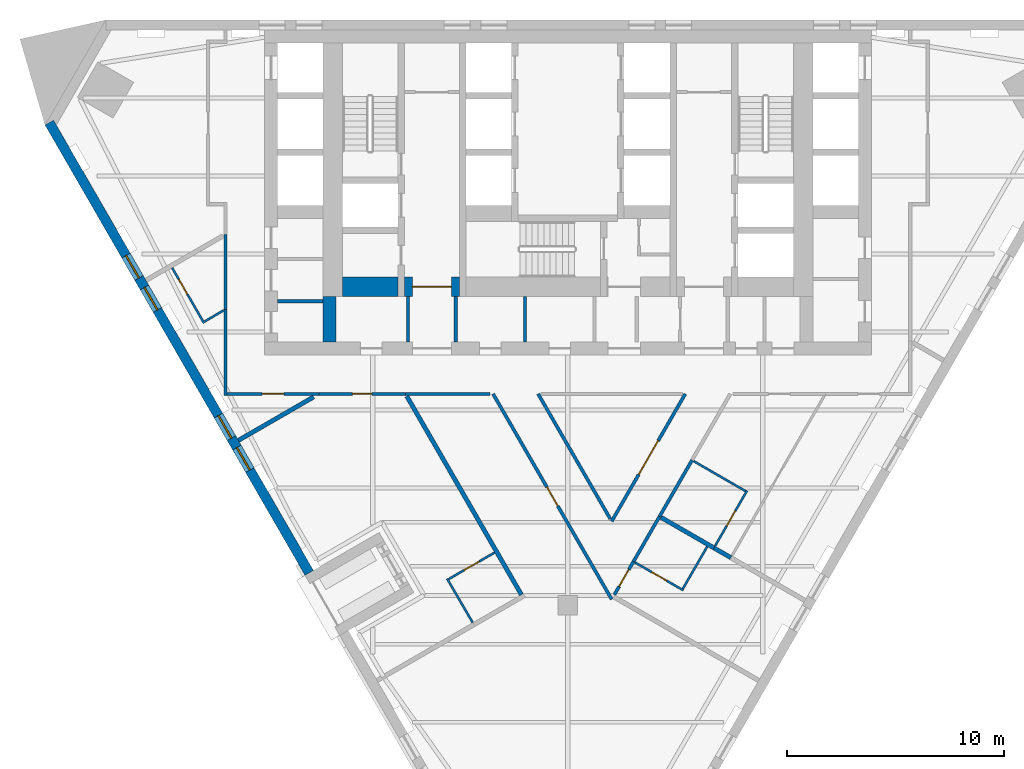
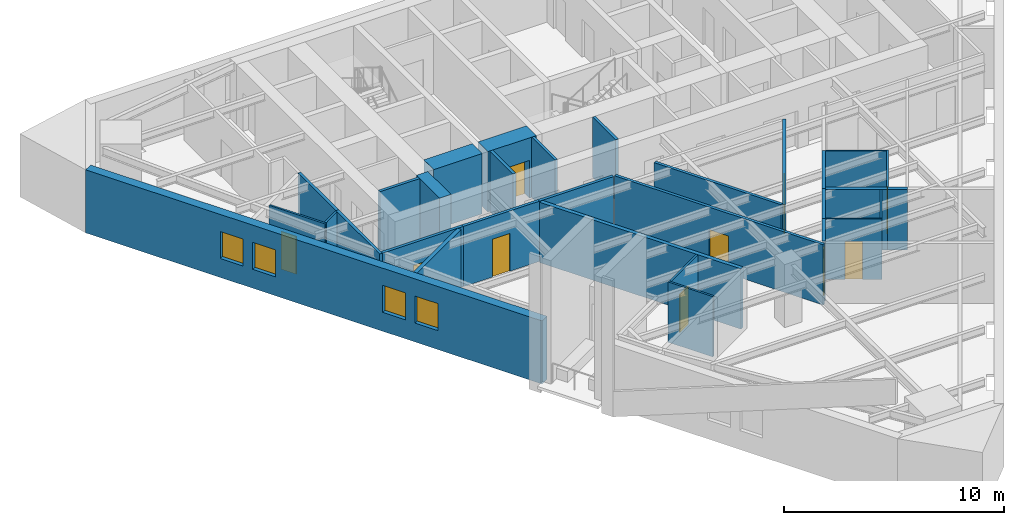
# One storey, part 3 of 9: 31 walls, 10 doors, 4 windows, 14 openings.
"""IFC4 building model written with IfcOpenShell, lengths in metres."""

from ifc_helpers import new_model, si_unit, direction, frame, frame_2d, origin, place, context, subcontext, project, spatial, polyline, rectangle, outline, extrude, material, layer, layer_set, type_object, element, fill, save


model = new_model("IFC4")

# Units and contexts
model_context = context("Model", 3, precision=1e-05, world=origin(), true_north=direction((0.0, 1.0)))
body_context = subcontext(model_context, "Body", "Model", "MODEL_VIEW")
ifc_project = project(units=[si_unit("LENGTHUNIT", "METRE"), si_unit("AREAUNIT", "SQUARE_METRE"), si_unit("VOLUMEUNIT", "CUBIC_METRE"), si_unit("PLANEANGLEUNIT", "RADIAN"), si_unit("MASSUNIT", "GRAM", prefix="KILO")], contexts=[model_context])

# Site, building, storey
site_placement = place(None, origin())
site = spatial("IfcSite", under=ifc_project, at=site_placement, CompositionType="ELEMENT")
building_placement = place(site_placement, origin())
building = spatial("IfcBuilding", under=site, at=building_placement, Name="Aloe Facet Convention Tower", CompositionType="ELEMENT")
storey_placement = place(building_placement, frame((0.0, 0.0, 99.300048828125)))
storey = spatial("IfcBuildingStorey", under=building, at=storey_placement, Name="L24", CompositionType="ELEMENT", Elevation=99.300048828125)

# Walls
ifc_material_1 = material(Name="Concrete blockwork partition", Category="masonry")
ifc_layer_1 = layer(ifc_material_1, 0.14990234375)
ifc_layer_set_1 = layer_set([ifc_layer_1], Name="CR-W-PART150")
wall_type_1 = type_object("IfcWallType", Name="CR-W-PART150", PredefinedType="PARTITIONING", material=ifc_layer_set_1)
wall_1_placement = place(storey_placement, frame((66.60009765625, 122.02490234375, 0.0), z_axis=(0.0, 0.0, 1.0), x_axis=(1.0, 0.0, 0.0)))
element("IfcWall", 1, at=wall_1_placement, inside=storey, type_object=wall_type_1, Name="Core partition L24-008", PredefinedType="PARTITIONING", context=body_context, shape_type="SweptSolid", body=[
    extrude(rectangle(XDim=2.099853515625, YDim=0.14990234375, at=frame_2d((1.0498046875, 0.0))), origin(), (0.0, 0.0, 1.0), 3.349853515625),
])
for number, where, z_axis, x_axis, name in (
    (2, (72.625, 122.25, 0.0), (0.0, 0.0, 1.0), (0.0, -1.0, 0.0), "Core partition L24-017"),
    (3, (74.824951171875, 122.25, 0.0), (0.0, 0.0, 1.0), (0.0, -1.0, 0.0), "Core partition L24-018"),
    (4, (78.02490234375, 122.25, 0.0), (0.0, 0.0, 1.0), (0.0, -1.0, 0.0), "Core partition L24-026"),
):
    element("IfcWall", number, at=place(storey_placement, frame(where, z_axis=z_axis, x_axis=x_axis)), inside=storey, type_object=wall_type_1, Name=name, PredefinedType="PARTITIONING", context=body_context, shape_type="SweptSolid", body=[
        extrude(rectangle(XDim=2.10009765625, YDim=0.14990234375, at=frame_2d((1.050048828125, 0.0))), origin(), (0.0, 0.0, 1.0), 3.349853515625),
    ])
ifc_material_2 = material(Name="Concrete C70/85", Category="concrete")
ifc_layer_2 = layer(ifc_material_2, 0.60009765625)
ifc_layer_set_2 = layer_set([ifc_layer_2], Name="CR-W-RC600-C7085")
wall_type_2 = type_object("IfcWallType", Name="CR-W-RC600-C7085", PredefinedType="SOLIDWALL", material=ifc_layer_set_2)
wall_2_placement = place(storey_placement, frame((69.0, 122.25, 0.0), z_axis=(0.0, 0.0, 1.0), x_axis=(0.0, -1.0, 0.0)))
element("IfcWall", 5, at=wall_2_placement, inside=storey, type_object=wall_type_2, Name="Core wall L24-010", PredefinedType="SOLIDWALL", context=body_context, shape_type="SweptSolid", body=[
    extrude(rectangle(XDim=2.10009765625, YDim=0.60009765625, at=frame_2d((1.050048828125, 0.0))), origin(), (0.0, 0.0, 1.0), 3.349853515625),
])
ifc_material_3 = material(Name="Concrete C70/85", Category="concrete")
ifc_layer_3 = layer(ifc_material_3, 0.89990234375)
ifc_layer_set_3 = layer_set([ifc_layer_3], Name="CR-W-RC900-C7085")
wall_type_3 = type_object("IfcWallType", Name="CR-W-RC900-C7085", PredefinedType="SOLIDWALL", material=ifc_layer_set_3)
wall_3_placement = place(storey_placement, frame((69.60009765625, 122.699951171875, 0.0), z_axis=(0.0, 0.0, 1.0), x_axis=(1.0, 0.0, 0.0)))
element("IfcWall", 6, at=wall_3_placement, inside=storey, type_object=wall_type_3, Name="Core wall L24-013", PredefinedType="SOLIDWALL", context=body_context, shape_type="SweptSolid", body=[
    extrude(rectangle(XDim=2.5498046875, YDim=0.89990234375, at=frame_2d((1.27490234375, 0.0))), origin(), (0.0, 0.0, 1.0), 3.349853515625),
])

# Wall, opening, door
wall_4_placement = place(storey_placement, frame((72.449951171875, 122.699951171875, 0.0), z_axis=(0.0, 0.0, 1.0), x_axis=(1.0, 0.0, 0.0)))
wall_4 = element("IfcWall", 7, at=wall_4_placement, inside=storey, type_object=wall_type_3, Name="Core wall L24-016", PredefinedType="SOLIDWALL", context=body_context, shape_type="SweptSolid", body=[
    extrude(rectangle(XDim=2.550048828125, YDim=0.89990234375, at=frame_2d((1.27490234375, 0.0))), origin(), (0.0, 0.0, 1.0), 3.349853515625),
])
opening_1_placement = place(wall_4_placement, frame((0.375, 0.0, 0.0)))
opening_1 = element("IfcOpeningElement", 8, at=opening_1_placement, cuts=wall_4, Name="Opening L24-CD14", PredefinedType="OPENING", context=body_context, shape_type="SweptSolid", body=[
    extrude(rectangle(XDim=1.800048828125, YDim=2.10009765625, at=frame_2d((0.89990234375, 1.050048828125))), frame((0.0, 0.4599609375, 0.0), z_axis=(0.0, -1.0, 0.0), x_axis=(1.0, 0.0, 0.0)), (0.0, 0.0, 1.0), 0.919921875),
])
ifc_material_4 = material(Name="Steel fire-resisting door set FD120", Category="steel")
door_type_1 = type_object("IfcDoorType", Name="CR-D-EXIT-1800-FD120-DD", OperationType="DOUBLE_DOOR_DOUBLE_SWING", PredefinedType="DOOR", material=ifc_material_4)
door_1_placement = place(opening_1_placement, origin())
door_1 = element("IfcDoor", 9, at=door_1_placement, inside=storey, type_object=door_type_1, Name="Core door L24-CD14", OperationType="DOUBLE_DOOR_DOUBLE_SWING", OverallHeight=2.10009765625, OverallWidth=1.800048828125, PredefinedType="DOOR", context=body_context, shape_type="SweptSolid", body=[
    extrude(rectangle(XDim=1.800048828125, YDim=2.10009765625, at=frame_2d((0.89990234375, 1.050048828125))), frame((0.0, 0.02490234375, 0.0), z_axis=(0.0, -1.0, 0.0), x_axis=(1.0, 0.0, 0.0)), (0.0, 0.0, 1.0), 0.050048828125),
])
fill(opening_1, door_1)

# Wall, openings, windows
ifc_material_5 = material(Name="Precast concrete C40/50", Category="concrete")
ifc_layer_4 = layer(ifc_material_5, 0.449951171875)
ifc_layer_set_4 = layer_set([ifc_layer_4], Name="EV-WALL-STONE")
wall_type_4 = type_object("IfcWallType", Name="EV-WALL-STONE", PredefinedType="SOLIDWALL", material=ifc_layer_set_4)
wall_5_placement = place(storey_placement, frame((56.0732421875, 130.2626953125, -0.150146484375), z_axis=(0.0, 0.0, 1.0), x_axis=(0.500002343971, -0.866024050488, 0.0)))
wall_5 = element("IfcWall", 10, at=wall_5_placement, inside=storey, type_object=wall_type_4, Name="EW-L24-W01", PredefinedType="SOLIDWALL", context=body_context, shape_type="SweptSolid", body=[
    extrude(outline(polyline([(0.0, 0.0), (0.0, 3.5), (23.98583984375, 3.5), (23.98583984375, 0.0), (0.0, 0.0)])), frame((0.0, 0.22509765625, 0.0), z_axis=(0.0, -1.0, 0.0), x_axis=(1.0, 0.0, 0.0)), (0.0, 0.0, 1.0), 0.449951171875),
])
opening_2_placement = place(wall_5_placement, frame((7.07861328125, 0.0, 1.050048828125)))
opening_2 = element("IfcOpeningElement", 11, at=opening_2_placement, cuts=wall_5, Name="Opening W-L24-W01", PredefinedType="OPENING", context=body_context, shape_type="SweptSolid", body=[
    extrude(rectangle(XDim=1.199951171875, YDim=1.5, at=frame_2d((0.60009765625, 0.75))), frame((0.0, 0.23486328125, 0.0), z_axis=(0.0, -1.0, 0.0), x_axis=(1.0, 0.0, 0.0)), (0.0, 0.0, 1.0), 0.469970703125),
])
opening_3_placement = place(wall_5_placement, frame((8.778564453125, 0.0, 1.050048828125)))
opening_3 = element("IfcOpeningElement", 12, at=opening_3_placement, cuts=wall_5, Name="Opening W-L24-W02", PredefinedType="OPENING", context=body_context, shape_type="SweptSolid", body=[
    extrude(rectangle(XDim=1.199951171875, YDim=1.5, at=frame_2d((0.60009765625, 0.75))), frame((0.0, 0.23486328125, 0.0), z_axis=(0.0, -1.0, 0.0), x_axis=(1.0, 0.0, 0.0)), (0.0, 0.0, 1.0), 0.469970703125),
])
opening_4_placement = place(wall_5_placement, frame((15.607177734375, 0.0, 1.050048828125)))
opening_4 = element("IfcOpeningElement", 13, at=opening_4_placement, cuts=wall_5, Name="Opening W-L24-W03", PredefinedType="OPENING", context=body_context, shape_type="SweptSolid", body=[
    extrude(rectangle(XDim=1.199951171875, YDim=1.5, at=frame_2d((0.60009765625, 0.75))), frame((0.0, 0.23486328125, 0.0), z_axis=(0.0, -1.0, 0.0), x_axis=(1.0, 0.0, 0.0)), (0.0, 0.0, 1.0), 0.469970703125),
])
opening_5_placement = place(wall_5_placement, frame((17.30712890625, 0.0, 1.050048828125)))
opening_5 = element("IfcOpeningElement", 14, at=opening_5_placement, cuts=wall_5, Name="Opening W-L24-W04", PredefinedType="OPENING", context=body_context, shape_type="SweptSolid", body=[
    extrude(rectangle(XDim=1.199951171875, YDim=1.5, at=frame_2d((0.60009765625, 0.75))), frame((0.0, 0.23486328125, 0.0), z_axis=(0.0, -1.0, 0.0), x_axis=(1.0, 0.0, 0.0)), (0.0, 0.0, 1.0), 0.469970703125),
])
ifc_material_6 = material(Name="Aluminium frame, clear double glazing", Category="aluminium")
window_type = type_object("IfcWindowType", Name="EV-WIN-H12", PartitioningType="SINGLE_PANEL", PredefinedType="WINDOW", material=ifc_material_6)
window_1_placement = place(opening_2_placement, origin())
window_1 = element("IfcWindow", 15, at=window_1_placement, inside=storey, type_object=window_type, Name="W-L24-W01", OverallHeight=1.5, OverallWidth=1.199951171875, PartitioningType="SINGLE_PANEL", PredefinedType="WINDOW", context=body_context, shape_type="SweptSolid", body=[
    extrude(rectangle(XDim=1.199951171875, YDim=1.5, at=frame_2d((0.60009765625, 0.75))), frame((0.0, 0.030029296875, 0.0), z_axis=(0.0, -1.0, 0.0), x_axis=(1.0, 0.0, 0.0)), (0.0, 0.0, 1.0), 0.06005859375),
])
fill(opening_2, window_1)
window_2_placement = place(opening_3_placement, origin())
window_2 = element("IfcWindow", 16, at=window_2_placement, inside=storey, type_object=window_type, Name="W-L24-W02", OverallHeight=1.5, OverallWidth=1.199951171875, PartitioningType="SINGLE_PANEL", PredefinedType="WINDOW", context=body_context, shape_type="SweptSolid", body=[
    extrude(rectangle(XDim=1.199951171875, YDim=1.5, at=frame_2d((0.60009765625, 0.75))), frame((0.0, 0.030029296875, 0.0), z_axis=(0.0, -1.0, 0.0), x_axis=(1.0, 0.0, 0.0)), (0.0, 0.0, 1.0), 0.06005859375),
])
fill(opening_3, window_2)
window_3_placement = place(opening_4_placement, origin())
window_3 = element("IfcWindow", 17, at=window_3_placement, inside=storey, type_object=window_type, Name="W-L24-W03", OverallHeight=1.5, OverallWidth=1.199951171875, PartitioningType="SINGLE_PANEL", PredefinedType="WINDOW", context=body_context, shape_type="SweptSolid", body=[
    extrude(rectangle(XDim=1.199951171875, YDim=1.5, at=frame_2d((0.60009765625, 0.75))), frame((0.0, 0.030029296875, 0.0), z_axis=(0.0, -1.0, 0.0), x_axis=(1.0, 0.0, 0.0)), (0.0, 0.0, 1.0), 0.06005859375),
])
fill(opening_4, window_3)
window_4_placement = place(opening_5_placement, origin())
window_4 = element("IfcWindow", 18, at=window_4_placement, inside=storey, type_object=window_type, Name="W-L24-W04", OverallHeight=1.5, OverallWidth=1.199951171875, PartitioningType="SINGLE_PANEL", PredefinedType="WINDOW", context=body_context, shape_type="SweptSolid", body=[
    extrude(rectangle(XDim=1.199951171875, YDim=1.5, at=frame_2d((0.60009765625, 0.75))), frame((0.0, 0.030029296875, 0.0), z_axis=(0.0, -1.0, 0.0), x_axis=(1.0, 0.0, 0.0)), (0.0, 0.0, 1.0), 0.06005859375),
])
fill(opening_5, window_4)

# Wall, opening, door
ifc_material_7 = material(Name="Gypsum board partition on steel studs", Category="steel")
ifc_layer_5 = layer(ifc_material_7, 0.14990234375)
ifc_layer_set_5 = layer_set([ifc_layer_5], Name="IN-W-CORR")
wall_type_5 = type_object("IfcWallType", Name="IN-W-CORR", PredefinedType="PARTITIONING", material=ifc_layer_set_5)
wall_6_placement = place(storey_placement, frame((76.5478515625, 117.75, 0.0), z_axis=(0.0, 0.0, 1.0), x_axis=(0.49999404054, -0.866028844453, 0.0)))
wall_6 = element("IfcWall", 19, at=wall_6_placement, inside=storey, type_object=wall_type_5, Name="Partition L24-W004", PredefinedType="PARTITIONING", context=body_context, shape_type="SweptSolid", body=[
    extrude(rectangle(XDim=10.946044921875, YDim=0.14990234375, at=frame_2d((5.47314453125, 0.0))), origin(), (0.0, 0.0, 1.0), 3.349853515625),
])
opening_6_placement = place(wall_6_placement, frame((4.972900390625, 0.0, 0.0)))
opening_6 = element("IfcOpeningElement", 20, at=opening_6_placement, cuts=wall_6, Name="Opening L24-005", PredefinedType="OPENING", context=body_context, shape_type="SweptSolid", body=[
    extrude(rectangle(XDim=1.0, YDim=2.10009765625, at=frame_2d((0.5, 1.050048828125))), frame((0.0, 0.0849609375, 0.0), z_axis=(0.0, -1.0, 0.0), x_axis=(1.0, 0.0, 0.0)), (0.0, 0.0, 1.0), 0.169921875),
])
ifc_material_8 = material(Name="Hardwood flush door FD30S", Category="wood")
door_type_2 = type_object("IfcDoorType", Name="IN-D-WIDE", OperationType="SINGLE_SWING_LEFT", PredefinedType="DOOR", material=ifc_material_8)
door_2_placement = place(opening_6_placement, origin())
door_2 = element("IfcDoor", 21, at=door_2_placement, inside=storey, type_object=door_type_2, Name="Door L24-005", OperationType="SINGLE_SWING_LEFT", OverallHeight=2.10009765625, OverallWidth=1.0, PredefinedType="DOOR", context=body_context, shape_type="SweptSolid", body=[
    extrude(rectangle(XDim=1.0, YDim=2.10009765625, at=frame_2d((0.5, 1.050048828125))), frame((0.0, 0.02490234375, 0.0), z_axis=(0.0, -1.0, 0.0), x_axis=(1.0, 0.0, 0.0)), (0.0, 0.0, 1.0), 0.050048828125),
])
fill(opening_6, door_2)

# Wall
wall_7_placement = place(storey_placement, frame((83.027099609375, 110.013916015625, 0.0), z_axis=(0.0, 0.0, 1.0), x_axis=(0.500077600433, 0.865980596518, 0.0)))
element("IfcWall", 22, at=wall_7_placement, inside=storey, type_object=wall_type_5, Name="Partition L24-W011", PredefinedType="PARTITIONING", context=body_context, shape_type="SweptSolid", body=[
    extrude(rectangle(XDim=2.39990234375, YDim=0.14990234375, at=frame_2d((1.199951171875, 0.0))), origin(), (0.0, 0.0, 1.0), 3.349853515625),
])

# Wall, opening, door
wall_8_placement = place(storey_placement, frame((82.14501953125, 108.48583984375, 0.0), z_axis=(0.0, 0.0, 1.0), x_axis=(0.499934064658, 0.866063468225, 0.0)))
wall_8 = element("IfcWall", 23, at=wall_8_placement, inside=storey, type_object=wall_type_5, Name="Partition L24-W012", PredefinedType="PARTITIONING", context=body_context, shape_type="SweptSolid", body=[
    extrude(rectangle(XDim=1.764404296875, YDim=0.14990234375, at=frame_2d((0.88232421875, 0.0))), origin(), (0.0, 0.0, 1.0), 3.349853515625),
])
opening_7_placement = place(wall_8_placement, frame((0.43212890625, 0.0, 0.0)))
opening_7 = element("IfcOpeningElement", 24, at=opening_7_placement, cuts=wall_8, Name="Opening L24-003", PredefinedType="OPENING", context=body_context, shape_type="SweptSolid", body=[
    extrude(rectangle(XDim=0.89990234375, YDim=2.10009765625, at=frame_2d((0.449951171875, 1.050048828125))), frame((0.0, 0.0849609375, 0.0), z_axis=(0.0, -1.0, 0.0), x_axis=(1.0, 0.0, 0.0)), (0.0, 0.0, 1.0), 0.169921875),
])
ifc_material_9 = material(Name="Hardwood flush door FD30S", Category="wood")
door_type_3 = type_object("IfcDoorType", Name="IN-D-GUEST", OperationType="SINGLE_SWING_LEFT", PredefinedType="DOOR", material=ifc_material_9)
door_3_placement = place(opening_7_placement, origin())
door_3 = element("IfcDoor", 25, at=door_3_placement, inside=storey, type_object=door_type_3, Name="Door L24-003", OperationType="SINGLE_SWING_LEFT", OverallHeight=2.10009765625, OverallWidth=0.89990234375, PredefinedType="DOOR", context=body_context, shape_type="SweptSolid", body=[
    extrude(rectangle(XDim=0.89990234375, YDim=2.10009765625, at=frame_2d((0.449951171875, 1.050048828125))), frame((0.0, 0.02490234375, 0.0), z_axis=(0.0, -1.0, 0.0), x_axis=(1.0, 0.0, 0.0)), (0.0, 0.0, 1.0), 0.050048828125),
])
fill(opening_7, door_3)

wall_9_placement = place(storey_placement, frame((82.020751953125, 111.87060546875, 0.0), z_axis=(0.0, 0.0, 1.0), x_axis=(0.500006764785, 0.866021498099, 0.0)))
wall_9 = element("IfcWall", 26, at=wall_9_placement, inside=storey, type_object=wall_type_5, Name="Partition L24-W020", PredefinedType="PARTITIONING", context=body_context, shape_type="SweptSolid", body=[
    extrude(rectangle(XDim=6.7890625, YDim=0.14990234375, at=frame_2d((3.39453125, 0.0))), origin(), (0.0, 0.0, 1.0), 3.349853515625),
])
opening_8_placement = place(wall_9_placement, frame((2.49462890625, 0.0, 0.0)))
opening_8 = element("IfcOpeningElement", 27, at=opening_8_placement, cuts=wall_9, Name="Opening L24-008", PredefinedType="OPENING", context=body_context, shape_type="SweptSolid", body=[
    extrude(rectangle(XDim=1.800048828125, YDim=2.10009765625, at=frame_2d((0.89990234375, 1.050048828125))), frame((0.0, 0.0849609375, 0.0), z_axis=(0.0, -1.0, 0.0), x_axis=(1.0, 0.0, 0.0)), (0.0, 0.0, 1.0), 0.169921875),
])
ifc_material_10 = material(Name="Timber flush door pair", Category="wood")
door_type_4 = type_object("IfcDoorType", Name="IN-D-PAIR-U", OperationType="DOUBLE_DOOR_SINGLE_SWING", PredefinedType="DOOR", material=ifc_material_10)
door_4_placement = place(opening_8_placement, origin())
door_4 = element("IfcDoor", 28, at=door_4_placement, inside=storey, type_object=door_type_4, Name="Door L24-008", OperationType="SINGLE_SWING_LEFT", OverallHeight=2.10009765625, OverallWidth=1.800048828125, PredefinedType="DOOR", context=body_context, shape_type="SweptSolid", body=[
    extrude(rectangle(XDim=1.800048828125, YDim=2.10009765625, at=frame_2d((0.89990234375, 1.050048828125))), frame((0.0, 0.02490234375, 0.0), z_axis=(0.0, -1.0, 0.0), x_axis=(1.0, 0.0, 0.0)), (0.0, 0.0, 1.0), 0.050048828125),
])
fill(opening_8, door_4)

# Walls
wall_10_placement = place(storey_placement, frame((84.227294921875, 112.09228515625, 0.0), z_axis=(0.0, 0.0, 1.0), x_axis=(0.499990139034, 0.866031096941, 0.0)))
element("IfcWall", 29, at=wall_10_placement, inside=storey, type_object=wall_type_5, Name="Partition L24-W022", PredefinedType="PARTITIONING", context=body_context, shape_type="SweptSolid", body=[
    extrude(rectangle(XDim=3.0, YDim=0.14990234375, at=frame_2d((1.5, 0.0))), origin(), (0.0, 0.0, 1.0), 3.349853515625),
])
wall_11_placement = place(storey_placement, frame((64.199951171875, 117.675048828125, 0.0), z_axis=(0.0, 0.0, 1.0), x_axis=(0.0, 1.0, 0.0)))
element("IfcWall", 30, at=wall_11_placement, inside=storey, type_object=wall_type_5, Name="Partition L24-W026", PredefinedType="PARTITIONING", context=body_context, shape_type="SweptSolid", body=[
    extrude(rectangle(XDim=3.97900390625, YDim=0.14990234375, at=frame_2d((1.989501953125, 0.0))), origin(), (0.0, 0.0, 1.0), 3.349853515625),
])

# Wall, opening, door
wall_12_placement = place(storey_placement, frame((64.27490234375, 117.75, 0.0), z_axis=(0.0, 0.0, 1.0), x_axis=(1.0, 0.0, 0.0)))
wall_12 = element("IfcWall", 31, at=wall_12_placement, inside=storey, type_object=wall_type_5, Name="Partition L24-W027", PredefinedType="PARTITIONING", context=body_context, shape_type="SweptSolid", body=[
    extrude(rectangle(XDim=4.240234375, YDim=0.14990234375, at=frame_2d((2.1201171875, 0.0))), origin(), (0.0, 0.0, 1.0), 3.349853515625),
])
opening_9_placement = place(wall_12_placement, frame((1.6201171875, 0.0, 0.0)))
opening_9 = element("IfcOpeningElement", 32, at=opening_9_placement, cuts=wall_12, Name="Opening L24-001", PredefinedType="OPENING", context=body_context, shape_type="SweptSolid", body=[
    extrude(rectangle(XDim=1.0, YDim=2.10009765625, at=frame_2d((0.5, 1.050048828125))), frame((0.0, 0.0849609375, 0.0), z_axis=(0.0, -1.0, 0.0), x_axis=(1.0, 0.0, 0.0)), (0.0, 0.0, 1.0), 0.169921875),
])
door_5_placement = place(opening_9_placement, origin())
door_5 = element("IfcDoor", 33, at=door_5_placement, inside=storey, type_object=door_type_2, Name="Door L24-001", OperationType="SINGLE_SWING_LEFT", OverallHeight=2.10009765625, OverallWidth=1.0, PredefinedType="DOOR", context=body_context, shape_type="SweptSolid", body=[
    extrude(rectangle(XDim=1.0, YDim=2.10009765625, at=frame_2d((0.5, 1.050048828125))), frame((0.0, 0.02490234375, 0.0), z_axis=(0.0, -1.0, 0.0), x_axis=(1.0, 0.0, 0.0)), (0.0, 0.0, 1.0), 0.050048828125),
])
fill(opening_9, door_5)

wall_13_placement = place(storey_placement, frame((68.51513671875, 117.75, 0.0), z_axis=(0.0, 0.0, 1.0), x_axis=(1.0, 0.0, 0.0)))
wall_13 = element("IfcWall", 34, at=wall_13_placement, inside=storey, type_object=wall_type_5, Name="Partition L24-W028", PredefinedType="PARTITIONING", context=body_context, shape_type="SweptSolid", body=[
    extrude(rectangle(XDim=3.9912109375, YDim=0.14990234375, at=frame_2d((1.99560546875, 0.0))), origin(), (0.0, 0.0, 1.0), 3.349853515625),
])
opening_10_placement = place(wall_13_placement, frame((1.545654296875, 0.0, 0.0)))
opening_10 = element("IfcOpeningElement", 35, at=opening_10_placement, cuts=wall_13, Name="Opening L24-002", PredefinedType="OPENING", context=body_context, shape_type="SweptSolid", body=[
    extrude(rectangle(XDim=0.89990234375, YDim=2.10009765625, at=frame_2d((0.449951171875, 1.050048828125))), frame((0.0, 0.0849609375, 0.0), z_axis=(0.0, -1.0, 0.0), x_axis=(1.0, 0.0, 0.0)), (0.0, 0.0, 1.0), 0.169921875),
])
door_6_placement = place(opening_10_placement, origin())
door_6 = element("IfcDoor", 36, at=door_6_placement, inside=storey, type_object=door_type_3, Name="Door L24-002", OperationType="SINGLE_SWING_LEFT", OverallHeight=2.10009765625, OverallWidth=0.89990234375, PredefinedType="DOOR", context=body_context, shape_type="SweptSolid", body=[
    extrude(rectangle(XDim=0.89990234375, YDim=2.10009765625, at=frame_2d((0.449951171875, 1.050048828125))), frame((0.0, 0.02490234375, 0.0), z_axis=(0.0, -1.0, 0.0), x_axis=(1.0, 0.0, 0.0)), (0.0, 0.0, 1.0), 0.050048828125),
])
fill(opening_10, door_6)

# Walls
wall_14_placement = place(storey_placement, frame((72.50634765625, 117.75, 0.0), z_axis=(0.0, 0.0, 1.0), x_axis=(1.0, 0.0, 0.0)))
element("IfcWall", 37, at=wall_14_placement, inside=storey, type_object=wall_type_5, Name="Partition L24-W029", PredefinedType="PARTITIONING", context=body_context, shape_type="SweptSolid", body=[
    extrude(rectangle(XDim=3.911376953125, YDim=0.14990234375, at=frame_2d((1.95556640625, 0.0))), origin(), (0.0, 0.0, 1.0), 3.349853515625),
])
wall_15_placement = place(storey_placement, frame((78.626220703125, 117.75, 0.0), z_axis=(0.0, 0.0, 1.0), x_axis=(0.499995378973, -0.866028071719, 0.0)))
element("IfcWall", 38, at=wall_15_placement, inside=storey, type_object=wall_type_5, Name="Partition L24-W030", PredefinedType="PARTITIONING", context=body_context, shape_type="SweptSolid", body=[
    extrude(rectangle(XDim=6.6591796875, YDim=0.14990234375, at=frame_2d((3.32958984375, 0.0))), origin(), (0.0, 0.0, 1.0), 3.349853515625),
])
wall_16_placement = place(storey_placement, frame((64.199951171875, 121.654052734375, 0.0), z_axis=(0.0, 0.0, 1.0), x_axis=(0.0, 1.0, 0.0)))
element("IfcWall", 39, at=wall_16_placement, inside=storey, type_object=wall_type_5, Name="Partition L24-W041", PredefinedType="PARTITIONING", context=body_context, shape_type="SweptSolid", body=[
    extrude(rectangle(XDim=3.45263671875, YDim=0.14990234375, at=frame_2d((1.726318359375, 0.0))), origin(), (0.0, 0.0, 1.0), 3.349853515625),
])
ifc_material_11 = material(Name="Gypsum board partition on steel studs", Category="steel")
ifc_layer_6 = layer(ifc_material_11, 0.10009765625)
ifc_layer_set_6 = layer_set([ifc_layer_6], Name="IN-W-PART")
wall_type_6 = type_object("IfcWallType", Name="IN-W-PART", PredefinedType="PARTITIONING", material=ifc_layer_set_6)
wall_17_placement = place(storey_placement, frame((74.427978515625, 109.220947265625, 0.0), z_axis=(0.0, 0.0, 1.0), x_axis=(0.503592070056, -0.863941564561, 0.0)))
element("IfcWall", 40, at=wall_17_placement, inside=storey, type_object=wall_type_6, Name="Partition L24-W002", PredefinedType="PARTITIONING", context=body_context, shape_type="SweptSolid", body=[
    extrude(rectangle(XDim=2.340087890625, YDim=0.10009765625, at=frame_2d((1.169921875, 0.0))), origin(), (0.0, 0.0, 1.0), 3.349853515625),
])

# Wall, opening, door
wall_18_placement = place(storey_placement, frame((83.100830078125, 109.97119140625, 0.0), z_axis=(0.0, 0.0, 1.0), x_axis=(0.866038183914, -0.499977863513, 0.0)))
wall_18 = element("IfcWall", 41, at=wall_18_placement, inside=storey, type_object=wall_type_6, Name="Partition L24-W009", PredefinedType="PARTITIONING", context=body_context, shape_type="SweptSolid", body=[
    extrude(rectangle(XDim=2.56494140625, YDim=0.10009765625, at=frame_2d((1.282470703125, 0.0))), origin(), (0.0, 0.0, 1.0), 3.349853515625),
])
opening_11_placement = place(wall_18_placement, frame((0.882568359375, 0.0, 0.0)))
opening_11 = element("IfcOpeningElement", 42, at=opening_11_placement, cuts=wall_18, Name="Opening L24-012", PredefinedType="OPENING", context=body_context, shape_type="SweptSolid", body=[
    extrude(rectangle(XDim=0.800048828125, YDim=2.10009765625, at=frame_2d((0.39990234375, 1.050048828125))), frame((0.0, 0.06005859375, 0.0), z_axis=(0.0, -1.0, 0.0), x_axis=(1.0, 0.0, 0.0)), (0.0, 0.0, 1.0), 0.1201171875),
])
ifc_material_12 = material(Name="Timber flush door", Category="wood")
door_type_5 = type_object("IfcDoorType", Name="IN-D-BATH", OperationType="SINGLE_SWING_LEFT", PredefinedType="DOOR", material=ifc_material_12)
door_7_placement = place(opening_11_placement, origin())
door_7 = element("IfcDoor", 43, at=door_7_placement, inside=storey, type_object=door_type_5, Name="Door L24-012", OperationType="SINGLE_SWING_LEFT", OverallHeight=2.10009765625, OverallWidth=0.800048828125, PredefinedType="DOOR", context=body_context, shape_type="SweptSolid", body=[
    extrude(rectangle(XDim=0.800048828125, YDim=2.10009765625, at=frame_2d((0.39990234375, 1.050048828125))), frame((0.0, 0.02490234375, 0.0), z_axis=(0.0, -1.0, 0.0), x_axis=(1.0, 0.0, 0.0)), (0.0, 0.0, 1.0), 0.050048828125),
])
fill(opening_11, door_7)

wall_19_placement = place(storey_placement, frame((74.505126953125, 109.207763671875, 0.0), z_axis=(0.0, 0.0, 1.0), x_axis=(0.866048967903, 0.499959183527, 0.0)))
wall_19 = element("IfcWall", 44, at=wall_19_placement, inside=storey, type_object=wall_type_6, Name="Partition L24-W010", PredefinedType="PARTITIONING", context=body_context, shape_type="SweptSolid", body=[
    extrude(rectangle(XDim=2.440185546875, YDim=0.10009765625, at=frame_2d((1.22021484375, 0.0))), origin(), (0.0, 0.0, 1.0), 3.349853515625),
])
opening_12_placement = place(wall_19_placement, frame((0.820068359375, 0.0, 0.0)))
opening_12 = element("IfcOpeningElement", 45, at=opening_12_placement, cuts=wall_19, Name="Opening L24-011", PredefinedType="OPENING", context=body_context, shape_type="SweptSolid", body=[
    extrude(rectangle(XDim=0.800048828125, YDim=2.10009765625, at=frame_2d((0.39990234375, 1.050048828125))), frame((0.0, 0.06005859375, 0.0), z_axis=(0.0, -1.0, 0.0), x_axis=(1.0, 0.0, 0.0)), (0.0, 0.0, 1.0), 0.1201171875),
])
door_8_placement = place(opening_12_placement, origin())
door_8 = element("IfcDoor", 46, at=door_8_placement, inside=storey, type_object=door_type_5, Name="Door L24-011", OperationType="SINGLE_SWING_LEFT", OverallHeight=2.10009765625, OverallWidth=0.800048828125, PredefinedType="DOOR", context=body_context, shape_type="SweptSolid", body=[
    extrude(rectangle(XDim=0.800048828125, YDim=2.10009765625, at=frame_2d((0.39990234375, 1.050048828125))), frame((0.0, 0.02490234375, 0.0), z_axis=(0.0, -1.0, 0.0), x_axis=(1.0, 0.0, 0.0)), (0.0, 0.0, 1.0), 0.050048828125),
])
fill(opening_12, door_8)

wall_20_placement = place(storey_placement, frame((86.793701171875, 110.737548828125, 0.0), z_axis=(0.0, 0.0, 1.0), x_axis=(0.499988418424, 0.866032090307, 0.0)))
wall_20 = element("IfcWall", 47, at=wall_20_placement, inside=storey, type_object=wall_type_6, Name="Partition L24-W017", PredefinedType="PARTITIONING", context=body_context, shape_type="SweptSolid", body=[
    extrude(rectangle(XDim=2.93994140625, YDim=0.10009765625, at=frame_2d((1.469970703125, 0.0))), origin(), (0.0, 0.0, 1.0), 3.349853515625),
])
opening_13_placement = place(wall_20_placement, frame((1.070068359375, 0.0, 0.0)))
opening_13 = element("IfcOpeningElement", 48, at=opening_13_placement, cuts=wall_20, Name="Opening L24-013", PredefinedType="OPENING", context=body_context, shape_type="SweptSolid", body=[
    extrude(rectangle(XDim=0.800048828125, YDim=2.10009765625, at=frame_2d((0.39990234375, 1.050048828125))), frame((0.0, 0.06005859375, 0.0), z_axis=(0.0, -1.0, 0.0), x_axis=(1.0, 0.0, 0.0)), (0.0, 0.0, 1.0), 0.1201171875),
])
door_9_placement = place(opening_13_placement, origin())
door_9 = element("IfcDoor", 49, at=door_9_placement, inside=storey, type_object=door_type_5, Name="Door L24-013", OperationType="SINGLE_SWING_LEFT", OverallHeight=2.10009765625, OverallWidth=0.800048828125, PredefinedType="DOOR", context=body_context, shape_type="SweptSolid", body=[
    extrude(rectangle(XDim=0.800048828125, YDim=2.10009765625, at=frame_2d((0.39990234375, 1.050048828125))), frame((0.0, 0.02490234375, 0.0), z_axis=(0.0, -1.0, 0.0), x_axis=(1.0, 0.0, 0.0)), (0.0, 0.0, 1.0), 0.050048828125),
])
fill(opening_13, door_9)

# Walls
wall_21_placement = place(storey_placement, frame((85.303955078125, 108.757080078125, 0.0), z_axis=(0.0, 0.0, 1.0), x_axis=(0.49994888933, 0.866054910533, 0.0)))
element("IfcWall", 50, at=wall_21_placement, inside=storey, type_object=wall_type_6, Name="Partition L24-W019", PredefinedType="PARTITIONING", context=body_context, shape_type="SweptSolid", body=[
    extrude(rectangle(XDim=2.239990234375, YDim=0.10009765625, at=frame_2d((1.1201171875, 0.0))), origin(), (0.0, 0.0, 1.0), 3.349853515625),
])
wall_22_placement = place(storey_placement, frame((85.80078125, 114.64794921875, 0.0), z_axis=(0.0, 0.0, 1.0), x_axis=(0.866012076814, -0.50002308228, 0.0)))
element("IfcWall", 51, at=wall_22_placement, inside=storey, type_object=wall_type_6, Name="Partition L24-W023", PredefinedType="PARTITIONING", context=body_context, shape_type="SweptSolid", body=[
    extrude(rectangle(XDim=2.764892578125, YDim=0.10009765625, at=frame_2d((1.38232421875, 0.0))), origin(), (0.0, 0.0, 1.0), 3.349853515625),
])

# Wall, opening, door
wall_23_placement = place(storey_placement, frame((61.743408203125, 123.5615234375, 0.0), z_axis=(0.0, 0.0, 1.0), x_axis=(0.500050696077, -0.865996132412, 0.0)))
wall_23 = element("IfcWall", 52, at=wall_23_placement, inside=storey, type_object=wall_type_6, Name="Partition L24-W037", PredefinedType="PARTITIONING", context=body_context, shape_type="SweptSolid", body=[
    extrude(rectangle(XDim=2.940185546875, YDim=0.10009765625, at=frame_2d((1.47021484375, 0.0))), origin(), (0.0, 0.0, 1.0), 3.349853515625),
])
opening_14_placement = place(wall_23_placement, frame((0.60791015625, 0.0, 0.0)))
opening_14 = element("IfcOpeningElement", 53, at=opening_14_placement, cuts=wall_23, Name="Opening L24-010", PredefinedType="OPENING", context=body_context, shape_type="SweptSolid", body=[
    extrude(rectangle(XDim=0.800048828125, YDim=2.10009765625, at=frame_2d((0.39990234375, 1.050048828125))), frame((0.0, 0.06005859375, 0.0), z_axis=(0.0, -1.0, 0.0), x_axis=(1.0, 0.0, 0.0)), (0.0, 0.0, 1.0), 0.1201171875),
])
door_10_placement = place(opening_14_placement, origin())
door_10 = element("IfcDoor", 54, at=door_10_placement, inside=storey, type_object=door_type_5, Name="Door L24-010", OperationType="SINGLE_SWING_LEFT", OverallHeight=2.10009765625, OverallWidth=0.800048828125, PredefinedType="DOOR", context=body_context, shape_type="SweptSolid", body=[
    extrude(rectangle(XDim=0.800048828125, YDim=2.10009765625, at=frame_2d((0.39990234375, 1.050048828125))), frame((0.0, 0.02490234375, 0.0), z_axis=(0.0, -1.0, 0.0), x_axis=(1.0, 0.0, 0.0)), (0.0, 0.0, 1.0), 0.050048828125),
])
fill(opening_14, door_10)

# Walls
wall_24_placement = place(storey_placement, frame((63.240234375, 121.089111328125, 0.0), z_axis=(0.0, 0.0, 1.0), x_axis=(0.861755507635, 0.507323806914, 0.0)))
element("IfcWall", 55, at=wall_24_placement, inside=storey, type_object=wall_type_6, Name="Partition L24-W038", PredefinedType="PARTITIONING", context=body_context, shape_type="SweptSolid", body=[
    extrude(rectangle(XDim=1.018798828125, YDim=0.10009765625, at=frame_2d((0.50927734375, 0.0))), origin(), (0.0, 0.0, 1.0), 3.349853515625),
])
ifc_material_13 = material(Name="Gypsum board partition on steel studs", Category="steel")
ifc_layer_7 = layer(ifc_material_13, 0.199951171875)
ifc_layer_set_7 = layer_set([ifc_layer_7], Name="IN-W-PARTY")
wall_type_7 = type_object("IfcWallType", Name="IN-W-PARTY", PredefinedType="PARTITIONING", material=ifc_layer_set_7)
wall_25_placement = place(storey_placement, frame((72.56884765625, 117.641845703125, 0.0), z_axis=(0.0, 0.0, 1.0), x_axis=(0.499993641323, -0.866029074937, 0.0)))
element("IfcWall", 56, at=wall_25_placement, inside=storey, type_object=wall_type_7, Name="Partition L24-W007", PredefinedType="PARTITIONING", context=body_context, shape_type="SweptSolid", body=[
    extrude(rectangle(XDim=10.572509765625, YDim=0.199951171875, at=frame_2d((5.2861328125, 0.0))), origin(), (0.0, 0.0, 1.0), 3.349853515625),
])
wall_26_placement = place(storey_placement, frame((86.73876953125, 110.642333984375, 0.0), z_axis=(0.0, 0.0, 1.0), x_axis=(0.866013897511, -0.50001992892, 0.0)))
element("IfcWall", 57, at=wall_26_placement, inside=storey, type_object=wall_type_7, Name="Partition L24-W013", PredefinedType="PARTITIONING", context=body_context, shape_type="SweptSolid", body=[
    extrude(rectangle(XDim=0.89990234375, YDim=0.199951171875, at=frame_2d((0.449951171875, 0.0))), origin(), (0.0, 0.0, 1.0), 3.349853515625),
])
wall_27_placement = place(storey_placement, frame((84.30078125, 112.0498046875, 0.0), z_axis=(0.0, 0.0, 1.0), x_axis=(0.866041167766, -0.49997269499, 0.0)))
element("IfcWall", 58, at=wall_27_placement, inside=storey, type_object=wall_type_7, Name="Partition L24-W016", PredefinedType="PARTITIONING", context=body_context, shape_type="SweptSolid", body=[
    extrude(rectangle(XDim=2.815185546875, YDim=0.199951171875, at=frame_2d((1.40771484375, 0.0))), origin(), (0.0, 0.0, 1.0), 3.349853515625),
])
wall_28_placement = place(storey_placement, frame((64.796875, 115.603271484375, 0.0), z_axis=(0.0, 0.0, 1.0), x_axis=(0.866034462328, 0.499984309814, 0.0)))
element("IfcWall", 59, at=wall_28_placement, inside=storey, type_object=wall_type_7, Name="Partition L24-W025", PredefinedType="PARTITIONING", context=body_context, shape_type="SweptSolid", body=[
    extrude(rectangle(XDim=4.008544921875, YDim=0.199951171875, at=frame_2d((2.00439453125, 0.0))), origin(), (0.0, 0.0, 1.0), 3.349853515625),
])

save(model, "model.ifc")
